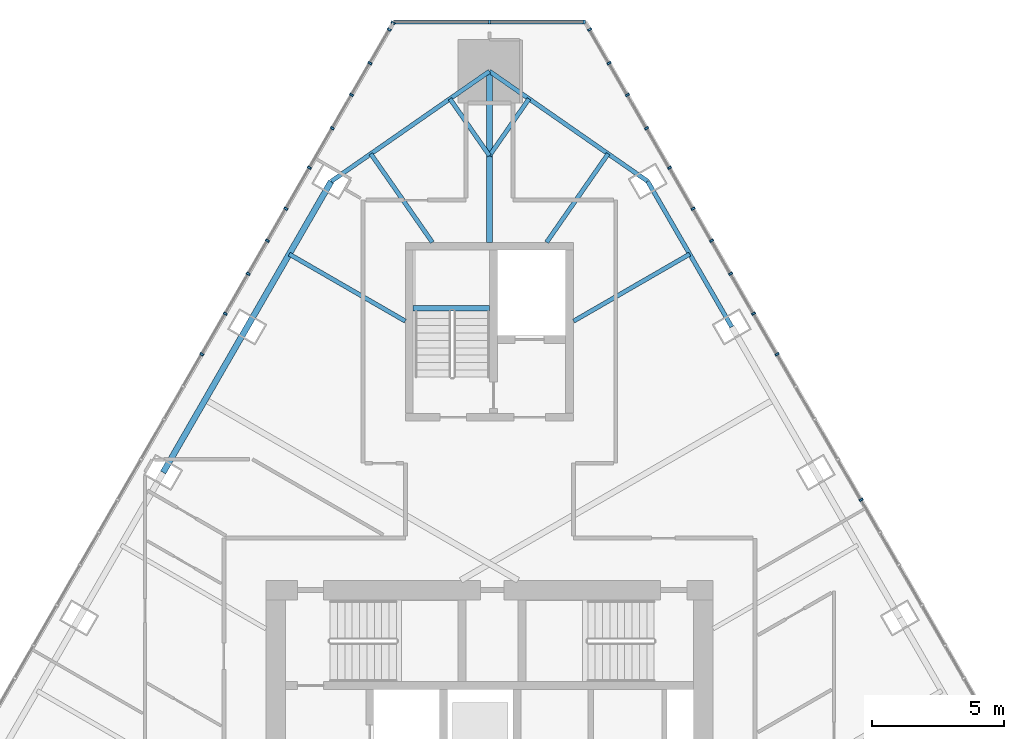
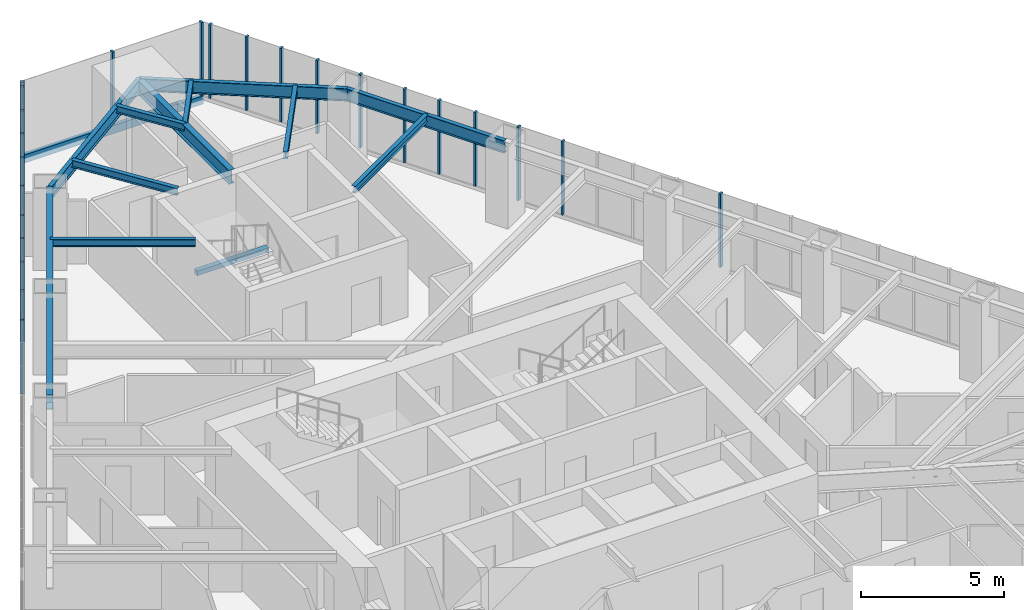
# One storey, part 10 of 21: 25 members, 12 beams, 3 elements without a shape of their own.
"""IFC4 building model written with IfcOpenShell, lengths in metres."""

from ifc_helpers import new_model, si_unit, direction, frame, origin, origin_2d, place, context, subcontext, project, spatial, rectangle, i_section, extrude, material, layer, layer_set, material_profile, profile_set, type_object, element, aggregate, save


model = new_model("IFC4")

# Units and contexts
model_context = context("Model", 3, precision=1e-05, world=origin(), true_north=direction((0.0, 1.0)))
body_context = subcontext(model_context, "Body", "Model", "MODEL_VIEW")
ifc_project = project(units=[si_unit("LENGTHUNIT", "METRE"), si_unit("AREAUNIT", "SQUARE_METRE"), si_unit("VOLUMEUNIT", "CUBIC_METRE"), si_unit("PLANEANGLEUNIT", "RADIAN"), si_unit("MASSUNIT", "GRAM", prefix="KILO")], contexts=[model_context])

# Site, building, storey
site_placement = place(None, origin())
site = spatial("IfcSite", under=ifc_project, at=site_placement, CompositionType="ELEMENT")
building_placement = place(site_placement, origin())
building = spatial("IfcBuilding", under=site, at=building_placement, Name="Firuza Gate Tower and Library", CompositionType="ELEMENT")
storey_placement = place(building_placement, frame((0.0, 0.0, 284.60009765625)))
storey = spatial("IfcBuildingStorey", under=building, at=storey_placement, Name="L68", CompositionType="ELEMENT", Elevation=284.60009765625)

# Curtain wall, members
ifc_material_1 = material(Name="Aluminium 6063-T6", Category="aluminium")
ifc_layer_1 = layer(ifc_material_1, 0.14990234375)
ifc_layer_set_1 = layer_set([ifc_layer_1], Name="Unitised curtain wall, residences")
curtain_wall_type_1 = type_object("IfcCurtainWallType", Name="Unitised curtain wall, residences", PredefinedType="NOTDEFINED", material=ifc_layer_set_1)
placement = place(storey_placement, origin())
curtain_wall_1 = element("IfcCurtainWall", 1, at=placement, inside=storey, type_object=curtain_wall_type_1, Name="CW3 L68 E face", PredefinedType="NOTDEFINED")
ifc_material_2 = material(Name="Aluminium 6063-T6", Category="aluminium")
ifc_material_profile_1 = material_profile(ifc_material_2, rectangle(XDim=0.14990234375, YDim=0.080078125, at=origin_2d()))
ifc_profile_set_1 = profile_set([ifc_material_profile_1], Name="Aluminium 6063-T6")
member_type_1 = type_object("IfcMemberType", Name="Curtain wall mullion 80x150", PredefinedType="MULLION", material=ifc_profile_set_1)
member_1_placement = place(storey_placement, frame((85.044921875, 91.887451171875, 0.14990234375), z_axis=(0.0, 0.0, 1.0), x_axis=(-0.866025403784, -0.5, 0.0)))
member_1 = element("IfcMember", 2, at=member_1_placement, type_object=member_type_1, Name="Mullion", PredefinedType="MULLION", context=body_context, shape_type="SweptSolid", body=[
    extrude(rectangle(XDim=0.14990234375, YDim=0.080078125, at=origin_2d()), origin(), (0.0, 0.0, 1.0), 3.14990234375),
])
member_2_placement = place(storey_placement, frame((83.444580078125, 94.65966796875, 0.14990234375), z_axis=(0.0, 0.0, 1.0), x_axis=(-0.866025403784, -0.5, 0.0)))
member_2 = element("IfcMember", 3, at=member_2_placement, type_object=member_type_1, Name="Mullion", PredefinedType="MULLION", context=body_context, shape_type="SweptSolid", body=[
    extrude(rectangle(XDim=0.14990234375, YDim=0.080078125, at=origin_2d()), origin(), (0.0, 0.0, 1.0), 3.14990234375),
])
member_3_placement = place(storey_placement, frame((81.84423828125, 97.431640625, 0.14990234375), z_axis=(0.0, 0.0, 1.0), x_axis=(-0.866025403784, -0.5, 0.0)))
member_3 = element("IfcMember", 4, at=member_3_placement, type_object=member_type_1, Name="Mullion", PredefinedType="MULLION", context=body_context, shape_type="SweptSolid", body=[
    extrude(rectangle(XDim=0.14990234375, YDim=0.080078125, at=origin_2d()), origin(), (0.0, 0.0, 1.0), 3.14990234375),
])
member_4_placement = place(storey_placement, frame((80.24365234375, 100.20361328125, 0.14990234375), z_axis=(0.0, 0.0, 1.0), x_axis=(-0.866025403784, -0.5, 0.0)))
member_4 = element("IfcMember", 5, at=member_4_placement, type_object=member_type_1, Name="Mullion", PredefinedType="MULLION", context=body_context, shape_type="SweptSolid", body=[
    extrude(rectangle(XDim=0.14990234375, YDim=0.080078125, at=origin_2d()), origin(), (0.0, 0.0, 1.0), 3.14990234375),
])
member_5_placement = place(storey_placement, frame((89.132080078125, 84.808349609375, 0.14990234375), z_axis=(0.0, 0.0, 1.0), x_axis=(-0.866025403784, -0.5, 0.0)))
member_5 = element("IfcMember", 6, at=member_5_placement, type_object=member_type_1, Name="Mullion", PredefinedType="MULLION", context=body_context, shape_type="SweptSolid", body=[
    extrude(rectangle(XDim=0.14990234375, YDim=0.080078125, at=origin_2d()), origin(), (0.0, 0.0, 1.0), 3.14990234375),
])
member_6_placement = place(storey_placement, frame((85.9375, 90.341796875, 0.14990234375), z_axis=(0.0, 0.0, 1.0), x_axis=(-0.866025403784, -0.5, 0.0)))
member_6 = element("IfcMember", 7, at=member_6_placement, type_object=member_type_1, Name="Mullion", PredefinedType="MULLION", context=body_context, shape_type="SweptSolid", body=[
    extrude(rectangle(XDim=0.14990234375, YDim=0.080078125, at=origin_2d()), origin(), (0.0, 0.0, 1.0), 3.14990234375),
])
member_7_placement = place(storey_placement, frame((84.171142578125, 93.401123046875, 0.14990234375), z_axis=(0.0, 0.0, 1.0), x_axis=(-0.866025403784, -0.5, 0.0)))
member_7 = element("IfcMember", 8, at=member_7_placement, type_object=member_type_1, Name="Mullion", PredefinedType="MULLION", context=body_context, shape_type="SweptSolid", body=[
    extrude(rectangle(XDim=0.14990234375, YDim=0.080078125, at=origin_2d()), origin(), (0.0, 0.0, 1.0), 3.14990234375),
])
member_8_placement = place(storey_placement, frame((82.74267578125, 95.875, 0.14990234375), z_axis=(0.0, 0.0, 1.0), x_axis=(-0.866025403784, -0.5, 0.0)))
member_8 = element("IfcMember", 9, at=member_8_placement, type_object=member_type_1, Name="Mullion", PredefinedType="MULLION", context=body_context, shape_type="SweptSolid", body=[
    extrude(rectangle(XDim=0.14990234375, YDim=0.080078125, at=origin_2d()), origin(), (0.0, 0.0, 1.0), 3.14990234375),
])
member_9_placement = place(storey_placement, frame((80.9765625, 98.9345703125, 0.14990234375), z_axis=(0.0, 0.0, 1.0), x_axis=(-0.866025403784, -0.5, 0.0)))
member_9 = element("IfcMember", 10, at=member_9_placement, type_object=member_type_1, Name="Mullion", PredefinedType="MULLION", context=body_context, shape_type="SweptSolid", body=[
    extrude(rectangle(XDim=0.14990234375, YDim=0.080078125, at=origin_2d()), origin(), (0.0, 0.0, 1.0), 3.14990234375),
])
member_10_placement = place(storey_placement, frame((79.548095703125, 101.408447265625, 0.14990234375), z_axis=(0.0, 0.0, 1.0), x_axis=(-0.866025403784, -0.5, 0.0)))
member_10 = element("IfcMember", 11, at=member_10_placement, type_object=member_type_1, Name="Mullion", PredefinedType="MULLION", context=body_context, shape_type="SweptSolid", body=[
    extrude(rectangle(XDim=0.14990234375, YDim=0.080078125, at=origin_2d()), origin(), (0.0, 0.0, 1.0), 3.14990234375),
])
member_11_placement = place(storey_placement, frame((78.808837890625, 102.688720703125, 0.14990234375), z_axis=(0.0, 0.0, 1.0), x_axis=(-0.866025403784, -0.5, 0.0)))
member_11 = element("IfcMember", 12, at=member_11_placement, type_object=member_type_1, Name="Mullion", PredefinedType="MULLION", context=body_context, shape_type="SweptSolid", body=[
    extrude(rectangle(XDim=0.14990234375, YDim=0.080078125, at=origin_2d()), origin(), (0.0, 0.0, 1.0), 3.14990234375),
])
aggregate(curtain_wall_1, [member_1, member_2, member_3, member_4, member_5, member_6, member_7, member_8, member_9, member_10, member_11])

ifc_material_3 = material(Name="Aluminium 6063-T6", Category="aluminium")
ifc_layer_2 = layer(ifc_material_3, 0.14990234375)
ifc_layer_set_2 = layer_set([ifc_layer_2], Name="Corner curtain wall, chamfers")
curtain_wall_type_2 = type_object("IfcCurtainWallType", Name="Corner curtain wall, chamfers", PredefinedType="NOTDEFINED", material=ifc_layer_set_2)
curtain_wall_2 = element("IfcCurtainWall", 13, at=placement, inside=storey, type_object=curtain_wall_type_2, Name="CW4 L68 N corner", PredefinedType="NOTDEFINED")
member_12_placement = place(storey_placement, frame((78.603271484375, 102.9755859375, 0.14990234375), z_axis=(0.0, 0.0, 1.0), x_axis=(0.0, -1.0, 0.0)))
member_12 = element("IfcMember", 14, at=member_12_placement, type_object=member_type_1, Name="Mullion", PredefinedType="MULLION", context=body_context, shape_type="SweptSolid", body=[
    extrude(rectangle(XDim=0.14990234375, YDim=0.080078125, at=origin_2d()), origin(), (0.0, 0.0, 1.0), 3.14990234375),
])
member_13_placement = place(storey_placement, frame((75.0, 102.9755859375, 0.14990234375), z_axis=(0.0, 0.0, 1.0), x_axis=(0.0, -1.0, 0.0)))
member_13 = element("IfcMember", 15, at=member_13_placement, type_object=member_type_1, Name="Mullion", PredefinedType="MULLION", context=body_context, shape_type="SweptSolid", body=[
    extrude(rectangle(XDim=0.14990234375, YDim=0.080078125, at=origin_2d()), origin(), (0.0, 0.0, 1.0), 3.14990234375),
])

curtain_wall_3 = element("IfcCurtainWall", 16, at=placement, inside=storey, type_object=curtain_wall_type_1, Name="CW3 L68 W face", PredefinedType="NOTDEFINED")
member_14_placement = place(storey_placement, frame((71.336669921875, 102.94091796875, 0.14990234375), z_axis=(0.0, 0.0, 1.0), x_axis=(0.866025403784, -0.5, 0.0)))
member_14 = element("IfcMember", 17, at=member_14_placement, type_object=member_type_1, Name="Mullion", PredefinedType="MULLION", context=body_context, shape_type="SweptSolid", body=[
    extrude(rectangle(XDim=0.14990234375, YDim=0.080078125, at=origin_2d()), origin(), (0.0, 0.0, 1.0), 3.14990234375),
])
member_15_placement = place(storey_placement, frame((69.75634765625, 100.20361328125, 0.14990234375), z_axis=(0.0, 0.0, 1.0), x_axis=(0.866025403784, -0.5, 0.0)))
member_15 = element("IfcMember", 18, at=member_15_placement, type_object=member_type_1, Name="Mullion", PredefinedType="MULLION", context=body_context, shape_type="SweptSolid", body=[
    extrude(rectangle(XDim=0.14990234375, YDim=0.080078125, at=origin_2d()), origin(), (0.0, 0.0, 1.0), 3.14990234375),
])
member_16_placement = place(storey_placement, frame((68.15576171875, 97.431640625, 0.14990234375), z_axis=(0.0, 0.0, 1.0), x_axis=(0.866025403784, -0.5, 0.0)))
member_16 = element("IfcMember", 19, at=member_16_placement, type_object=member_type_1, Name="Mullion", PredefinedType="MULLION", context=body_context, shape_type="SweptSolid", body=[
    extrude(rectangle(XDim=0.14990234375, YDim=0.080078125, at=origin_2d()), origin(), (0.0, 0.0, 1.0), 3.14990234375),
])
member_17_placement = place(storey_placement, frame((66.555419921875, 94.65966796875, 0.14990234375), z_axis=(0.0, 0.0, 1.0), x_axis=(0.866025403784, -0.5, 0.0)))
member_17 = element("IfcMember", 20, at=member_17_placement, type_object=member_type_1, Name="Mullion", PredefinedType="MULLION", context=body_context, shape_type="SweptSolid", body=[
    extrude(rectangle(XDim=0.14990234375, YDim=0.080078125, at=origin_2d()), origin(), (0.0, 0.0, 1.0), 3.14990234375),
])
member_18_placement = place(storey_placement, frame((64.955078125, 91.887451171875, 0.14990234375), z_axis=(0.0, 0.0, 1.0), x_axis=(0.866025403784, -0.5, 0.0)))
member_18 = element("IfcMember", 21, at=member_18_placement, type_object=member_type_1, Name="Mullion", PredefinedType="MULLION", context=body_context, shape_type="SweptSolid", body=[
    extrude(rectangle(XDim=0.14990234375, YDim=0.080078125, at=origin_2d()), origin(), (0.0, 0.0, 1.0), 3.14990234375),
])
member_19_placement = place(storey_placement, frame((71.191162109375, 102.688720703125, 0.14990234375), z_axis=(0.0, 0.0, 1.0), x_axis=(0.866025403784, -0.5, 0.0)))
member_19 = element("IfcMember", 22, at=member_19_placement, type_object=member_type_1, Name="Mullion", PredefinedType="MULLION", context=body_context, shape_type="SweptSolid", body=[
    extrude(rectangle(XDim=0.14990234375, YDim=0.080078125, at=origin_2d()), origin(), (0.0, 0.0, 1.0), 3.14990234375),
])
member_20_placement = place(storey_placement, frame((70.451904296875, 101.408447265625, 0.14990234375), z_axis=(0.0, 0.0, 1.0), x_axis=(0.866025403784, -0.5, 0.0)))
member_20 = element("IfcMember", 23, at=member_20_placement, type_object=member_type_1, Name="Mullion", PredefinedType="MULLION", context=body_context, shape_type="SweptSolid", body=[
    extrude(rectangle(XDim=0.14990234375, YDim=0.080078125, at=origin_2d()), origin(), (0.0, 0.0, 1.0), 3.14990234375),
])
member_21_placement = place(storey_placement, frame((69.0234375, 98.9345703125, 0.14990234375), z_axis=(0.0, 0.0, 1.0), x_axis=(0.866025403784, -0.5, 0.0)))
member_21 = element("IfcMember", 24, at=member_21_placement, type_object=member_type_1, Name="Mullion", PredefinedType="MULLION", context=body_context, shape_type="SweptSolid", body=[
    extrude(rectangle(XDim=0.14990234375, YDim=0.080078125, at=origin_2d()), origin(), (0.0, 0.0, 1.0), 3.14990234375),
])
member_22_placement = place(storey_placement, frame((67.25732421875, 95.875, 0.14990234375), z_axis=(0.0, 0.0, 1.0), x_axis=(0.866025403784, -0.5, 0.0)))
member_22 = element("IfcMember", 25, at=member_22_placement, type_object=member_type_1, Name="Mullion", PredefinedType="MULLION", context=body_context, shape_type="SweptSolid", body=[
    extrude(rectangle(XDim=0.14990234375, YDim=0.080078125, at=origin_2d()), origin(), (0.0, 0.0, 1.0), 3.14990234375),
])
member_23_placement = place(storey_placement, frame((65.828857421875, 93.401123046875, 0.14990234375), z_axis=(0.0, 0.0, 1.0), x_axis=(0.866025403784, -0.5, 0.0)))
member_23 = element("IfcMember", 26, at=member_23_placement, type_object=member_type_1, Name="Mullion", PredefinedType="MULLION", context=body_context, shape_type="SweptSolid", body=[
    extrude(rectangle(XDim=0.14990234375, YDim=0.080078125, at=origin_2d()), origin(), (0.0, 0.0, 1.0), 3.14990234375),
])
member_24_placement = place(storey_placement, frame((64.0625, 90.341796875, 0.14990234375), z_axis=(0.0, 0.0, 1.0), x_axis=(0.866025403784, -0.5, 0.0)))
member_24 = element("IfcMember", 27, at=member_24_placement, type_object=member_type_1, Name="Mullion", PredefinedType="MULLION", context=body_context, shape_type="SweptSolid", body=[
    extrude(rectangle(XDim=0.14990234375, YDim=0.080078125, at=origin_2d()), origin(), (0.0, 0.0, 1.0), 3.14990234375),
])
aggregate(curtain_wall_3, [member_14, member_15, member_16, member_17, member_18, member_19, member_20, member_21, member_22, member_23, member_24])

# Member
ifc_material_4 = material(Name="Aluminium 6063-T6", Category="aluminium")
ifc_material_profile_2 = material_profile(ifc_material_4, rectangle(XDim=0.14990234375, YDim=0.35009765625, at=origin_2d()))
ifc_profile_set_2 = profile_set([ifc_material_profile_2], Name="Aluminium 6063-T6")
member_type_2 = type_object("IfcMemberType", Name="Curtain wall transom 350x150", PredefinedType="USERDEFINED", material=ifc_profile_set_2)
member_25_placement = place(storey_placement, frame((78.643310546875, 102.9755859375, -0.025146484375), z_axis=(-1.0, 0.0, 0.0), x_axis=(0.0, -1.0, 0.0)))
member_25 = element("IfcMember", 28, at=member_25_placement, type_object=member_type_2, Name="Transom", ObjectType="TRANSOM", PredefinedType="USERDEFINED", context=body_context, shape_type="SweptSolid", body=[
    extrude(rectangle(XDim=0.14990234375, YDim=0.35009765625, at=origin_2d()), origin(), (0.0, 0.0, 1.0), 7.28662109375),
])

aggregate(curtain_wall_2, [member_12, member_13, member_25])

# Beams
ifc_material_5 = material(Name="Concrete C35/45", Category="concrete")
ifc_material_profile_3 = material_profile(ifc_material_5, rectangle(XDim=0.199951171875, YDim=0.199951171875, at=origin_2d()))
ifc_profile_set_3 = profile_set([ifc_material_profile_3], Name="Concrete C35/45")
beam_type_1 = type_object("IfcBeamType", Name="Stair landing bearer 200x200", PredefinedType="BEAM", material=ifc_profile_set_3)
beam_1_placement = place(storey_placement, frame((75.0, 92.090087890625, 1.449951171875), z_axis=(-1.0, 0.0, 0.0), x_axis=(0.0, -1.0, 0.0)))
element("IfcBeam", 29, at=beam_1_placement, inside=storey, type_object=beam_type_1, Name="Landing bearer L68 stair 3", PredefinedType="BEAM", context=body_context, shape_type="SweptSolid", body=[
    extrude(rectangle(XDim=0.199951171875, YDim=0.199951171875, at=origin_2d()), origin(), (0.0, 0.0, 1.0), 2.89990234375),
])
ifc_material_6 = material(Name="Steel S355", Category="steel")
ifc_material_profile_4 = material_profile(ifc_material_6, i_section(OverallWidth=0.1650390625, OverallDepth=0.31005859375, WebThickness=0.005859375, FlangeThickness=0.009765625, at=origin_2d()))
ifc_profile_set_4 = profile_set([ifc_material_profile_4], Name="Steel S355")
beam_type_2 = type_object("IfcBeamType", Name="W310x39 Floor beam", PredefinedType="JOIST", material=ifc_profile_set_4)
beam_2_placement = place(storey_placement, frame((82.612548828125, 94.150634765625, 3.14501953125), z_axis=(-0.866026000608, -0.499998966269, 0.0), x_axis=(0.499998966269, -0.866026000608, 0.0)))
element("IfcBeam", 30, at=beam_2_placement, inside=storey, type_object=beam_type_2, Name="Floor beam L68 s54", PredefinedType="JOIST", context=body_context, shape_type="SweptSolid", body=[
    extrude(i_section(OverallWidth=0.1650390625, OverallDepth=0.31005859375, WebThickness=0.005859375, FlangeThickness=0.009765625, at=origin_2d()), origin(), (0.0, 0.0, 1.0), 5.09521484375),
])
beam_3_placement = place(storey_placement, frame((79.511474609375, 97.963134765625, 3.14501953125), z_axis=(-0.570959710546, -0.820978080665, 0.0), x_axis=(0.820978080665, -0.570959710546, 0.0)))
element("IfcBeam", 31, at=beam_3_placement, inside=storey, type_object=beam_type_2, Name="Floor beam L68 s60", PredefinedType="JOIST", context=body_context, shape_type="SweptSolid", body=[
    extrude(i_section(OverallWidth=0.1650390625, OverallDepth=0.31005859375, WebThickness=0.005859375, FlangeThickness=0.009765625, at=origin_2d()), origin(), (0.0, 0.0, 1.0), 4.096435546875),
])
for number, where, z_axis, x_axis, name in (
    (32, (76.50390625, 100.054931640625, 3.14501953125), (-0.570977579651, -0.820965653079, 0.0), (0.820965653079, -0.570977579651, 0.0), "Floor beam L68 s61"),
    (33, (73.49609375, 100.054931640625, 3.14501953125), (0.570977579651, -0.820965653079, 0.0), (0.820965653079, 0.570977579651, 0.0), "Floor beam L68 s70"),
):
    element("IfcBeam", number, at=place(storey_placement, frame(where, z_axis=z_axis, x_axis=x_axis)), inside=storey, type_object=beam_type_2, Name=name, PredefinedType="JOIST", context=body_context, shape_type="SweptSolid", body=[
        extrude(i_section(OverallWidth=0.1650390625, OverallDepth=0.31005859375, WebThickness=0.005859375, FlangeThickness=0.009765625, at=origin_2d()), origin(), (0.0, 0.0, 1.0), 2.634033203125),
    ])
beam_4_placement = place(storey_placement, frame((70.488525390625, 97.963134765625, 3.14501953125), z_axis=(0.570959710546, -0.820978080665, 0.0), x_axis=(0.820978080665, 0.570959710546, 0.0)))
element("IfcBeam", 34, at=beam_4_placement, inside=storey, type_object=beam_type_2, Name="Floor beam L68 s71", PredefinedType="JOIST", context=body_context, shape_type="SweptSolid", body=[
    extrude(i_section(OverallWidth=0.1650390625, OverallDepth=0.31005859375, WebThickness=0.005859375, FlangeThickness=0.009765625, at=origin_2d()), origin(), (0.0, 0.0, 1.0), 4.096435546875),
])
beam_5_placement = place(storey_placement, frame((67.387451171875, 94.150634765625, 3.14501953125), z_axis=(0.866026000608, -0.499998966269, 0.0), x_axis=(0.499998966269, 0.866026000608, 0.0)))
element("IfcBeam", 35, at=beam_5_placement, inside=storey, type_object=beam_type_2, Name="Floor beam L68 s80", PredefinedType="JOIST", context=body_context, shape_type="SweptSolid", body=[
    extrude(i_section(OverallWidth=0.1650390625, OverallDepth=0.31005859375, WebThickness=0.005859375, FlangeThickness=0.009765625, at=origin_2d()), origin(), (0.0, 0.0, 1.0), 5.09521484375),
])
ifc_material_7 = material(Name="Steel S355", Category="steel")
ifc_material_profile_5 = material_profile(ifc_material_7, i_section(OverallWidth=0.166015625, OverallDepth=0.534912109375, WebThickness=0.01025390625, FlangeThickness=0.0166015625, at=origin_2d()))
ifc_profile_set_5 = profile_set([ifc_material_profile_5], Name="Steel S355")
beam_type_3 = type_object("IfcBeamType", Name="W530x85 Edge beam", PredefinedType="SPANDREL", material=ifc_profile_set_5)
beam_6_placement = place(storey_placement, frame((84.2099609375, 91.384033203125, 3.032470703125), z_axis=(-0.500026752084, 0.866009957911, 0.0), x_axis=(-0.866009957911, -0.500026752084, 0.0)))
element("IfcBeam", 36, at=beam_6_placement, inside=storey, type_object=beam_type_3, Name="Edge beam L68 e54", PredefinedType="SPANDREL", context=body_context, shape_type="SweptSolid", body=[
    extrude(i_section(OverallWidth=0.166015625, OverallDepth=0.534912109375, WebThickness=0.01025390625, FlangeThickness=0.0166015625, at=origin_2d()), origin(), (0.0, 0.0, 1.0), 6.389404296875),
])
for number, where, z_axis, x_axis, name in (
    (37, (81.01513671875, 96.917236328125, 3.032470703125), (-0.820975149555, 0.570963925141, 0.0), (-0.570963925141, -0.820975149555, 0.0), "Edge beam L68 e60"),
    (38, (75.0, 101.1005859375, 3.032470703125), (-0.820975149555, -0.570963925141, 0.0), (0.570963925141, -0.820975149555, 0.0), "Edge beam L68 e70"),
):
    element("IfcBeam", number, at=place(storey_placement, frame(where, z_axis=z_axis, x_axis=x_axis)), inside=storey, type_object=beam_type_3, Name=name, PredefinedType="SPANDREL", context=body_context, shape_type="SweptSolid", body=[
        extrude(i_section(OverallWidth=0.166015625, OverallDepth=0.534912109375, WebThickness=0.01025390625, FlangeThickness=0.0166015625, at=origin_2d()), origin(), (0.0, 0.0, 1.0), 7.326904296875),
    ])
ifc_material_8 = material(Name="Steel S355", Category="steel")
ifc_material_profile_6 = material_profile(ifc_material_8, i_section(OverallWidth=0.22802734375, OverallDepth=0.60302734375, WebThickness=0.010498046875, FlangeThickness=0.014892578125, at=origin_2d()))
ifc_profile_set_6 = profile_set([ifc_material_profile_6], Name="Steel S355")
beam_type_4 = type_object("IfcBeamType", Name="W610x101 Girder", PredefinedType="BEAM", material=ifc_profile_set_6)
beam_7_placement = place(storey_placement, frame((75.0, 101.1005859375, 2.998291015625), z_axis=(0.0, -1.0, 0.0), x_axis=(1.0, 0.0, 0.0)))
element("IfcBeam", 39, at=beam_7_placement, inside=storey, type_object=beam_type_4, Name="Girder L68 gN", PredefinedType="BEAM", context=body_context, shape_type="SweptSolid", body=[
    extrude(i_section(OverallWidth=0.22802734375, OverallDepth=0.60302734375, WebThickness=0.010498046875, FlangeThickness=0.014892578125, at=origin_2d()), origin(), (0.0, 0.0, 1.0), 6.50048828125),
])
ifc_material_9 = material(Name="Steel S355", Category="steel")
ifc_material_profile_7 = material_profile(ifc_material_9, i_section(OverallWidth=0.22900390625, OverallDepth=0.612060546875, WebThickness=0.011962890625, FlangeThickness=0.01953125, at=origin_2d()))
ifc_profile_set_7 = profile_set([ifc_material_profile_7], Name="Steel S355")
beam_type_5 = type_object("IfcBeamType", Name="W610x125 Edge beam", PredefinedType="SPANDREL", material=ifc_profile_set_7)
beam_8_placement = place(storey_placement, frame((68.98486328125, 96.917236328125, 2.993896484375), z_axis=(-0.500004150346, -0.866023007568, 0.0), x_axis=(0.866023007568, -0.500004150346, 0.0)))
element("IfcBeam", 40, at=beam_8_placement, inside=storey, type_object=beam_type_5, Name="Edge beam L68 e80", PredefinedType="SPANDREL", context=body_context, shape_type="SweptSolid", body=[
    extrude(i_section(OverallWidth=0.22900390625, OverallDepth=0.612060546875, WebThickness=0.011962890625, FlangeThickness=0.01953125, at=origin_2d()), origin(), (0.0, 0.0, 1.0), 12.77880859375),
])

save(model, "model.ifc")
